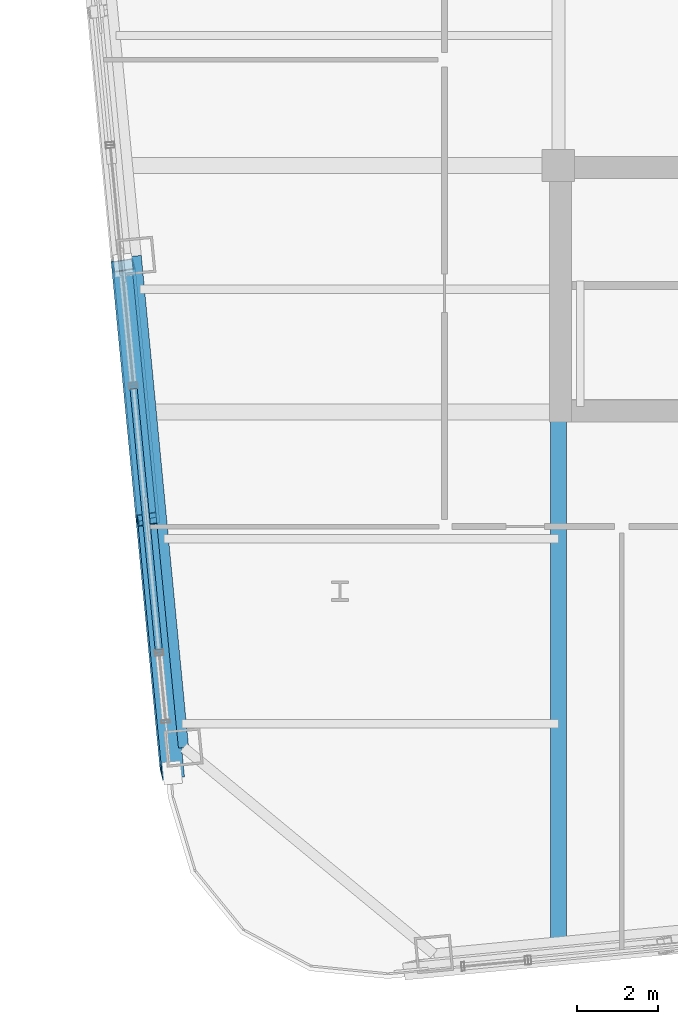
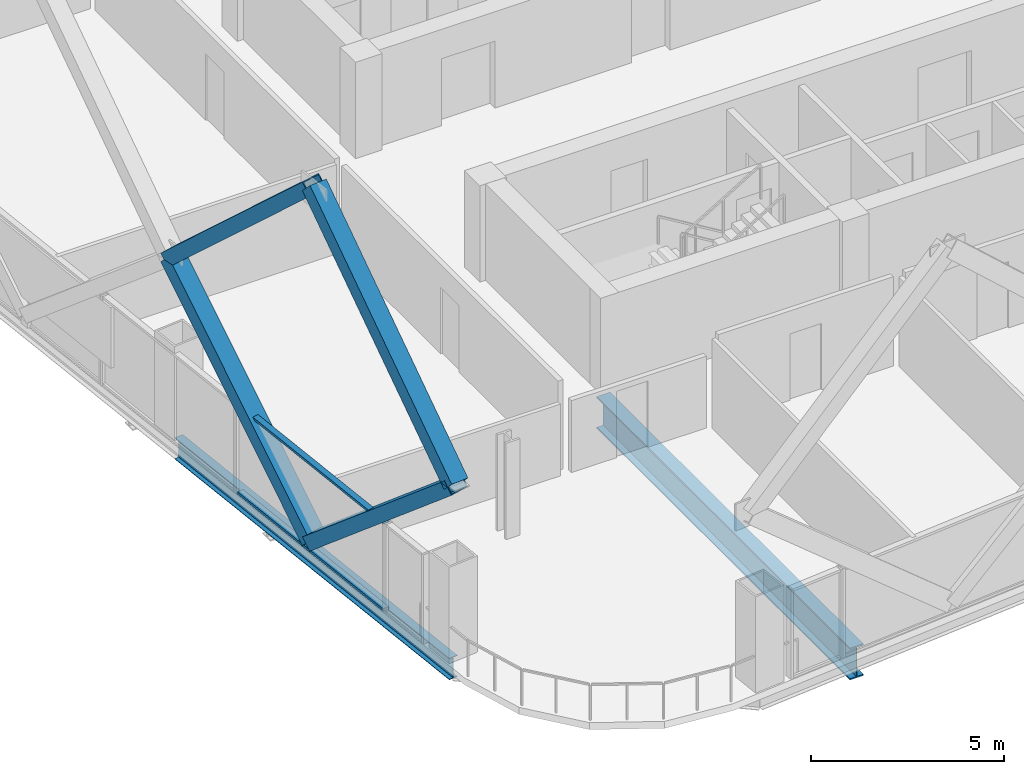
# One storey, part 3 of 32: 6 members, 2 beams, 1 element without a shape of its own.
"""IFC4 building model written with IfcOpenShell, lengths in metres."""

import ifcopenshell
import ifcopenshell.guid

model = None  # the IFC model being written
_history = None  # IfcOwnerHistory: only IFC2X3 demands one
_inside = {}  # id of a spatial element -> (the spatial element, [elements in it])
_under = {}  # id of a project, library or spatial element -> (it, [spatial elements below it])
_declared = {}  # id of a project -> (the project, [libraries it declares])
_typed = {}  # id of a type object -> (the type object, [elements of that type])
_made_of = {}  # id of a material, layer set ... -> (it, [elements and type objects made of it])


def new_model(schema):
    """Start an empty IFC model of exactly this schema.

    Asked for "IFC4X3", IfcOpenShell would pick the latest addendum, in which some entities
    have other attributes; the version numbers below select the first issue.
    IFC2X3 requires an IfcOwnerHistory on every rooted entity: one is made here for all.
    """
    global model, _history
    if schema == "IFC4X3":
        model = ifcopenshell.file(schema_version=(4, 3, 0, 0))
    else:
        model = ifcopenshell.file(schema=schema)
    _inside.clear()
    _under.clear()
    _declared.clear()
    _typed.clear()
    _made_of.clear()
    _history = None
    if model.schema == "IFC2X3":
        org = make("IfcOrganization", Name="unknown")
        user = make(
            "IfcPersonAndOrganization",
            ThePerson=make("IfcPerson", FamilyName="unknown"),
            TheOrganization=org,
        )
        app = make(
            "IfcApplication",
            ApplicationDeveloper=org,
            Version="unknown",
            ApplicationFullName="unknown",
            ApplicationIdentifier="unknown",
        )
        _history = make(
            "IfcOwnerHistory",
            OwningUser=user,
            OwningApplication=app,
            ChangeAction="ADDED",
            CreationDate=0,
        )
    return model


def make(cls, **values):
    """One entity of the class cls with the attributes given. An attribute that is None is left unset."""
    return model.create_entity(
        cls, **{name: value for name, value in values.items() if value is not None}
    )


def rooted(cls, **values):
    """An entity with a GlobalId (a new one), such as an element, a storey or a relation."""
    return make(cls, GlobalId=ifcopenshell.guid.new(), OwnerHistory=_history, **values)


def si_unit(unit_type, name, prefix=None):
    """IfcSIUnit, for example si_unit("LENGTHUNIT", "METRE", prefix="MILLI")."""
    return make("IfcSIUnit", UnitType=unit_type, Prefix=prefix, Name=name)


def assignment(units):
    """IfcUnitAssignment: the units of a project."""
    return None if units is None else make("IfcUnitAssignment", Units=units)


def point(xyz):
    """IfcCartesianPoint."""
    return None if xyz is None else make("IfcCartesianPoint", Coordinates=xyz)


def direction(xyz):
    """IfcDirection."""
    return None if xyz is None else make("IfcDirection", DirectionRatios=xyz)


def frame(location, z_axis=None, x_axis=None):
    """IfcAxis2Placement3D, a coordinate frame: its origin and axes. An axis left out is left unset."""
    return make(
        "IfcAxis2Placement3D",
        Location=point(location),
        Axis=direction(z_axis),
        RefDirection=direction(x_axis),
    )


def frame_2d(location, x_axis=None):
    """IfcAxis2Placement2D, a coordinate frame in the plane: its origin and x axis."""
    return make(
        "IfcAxis2Placement2D", Location=point(location), RefDirection=direction(x_axis)
    )


def origin():
    """The frame at (0, 0, 0) with its axes left unset."""
    return frame((0.0, 0.0, 0.0))


def origin_2d():
    """The frame at (0, 0) in the plane with its x axis left unset."""
    return frame_2d((0.0, 0.0))


def place(relative_to, where):
    """IfcLocalPlacement: puts the frame where relative to a parent placement (None: the world)."""
    return make(
        "IfcLocalPlacement", PlacementRelTo=relative_to, RelativePlacement=where
    )


def context(
    kind, dimensions, precision=None, world=None, true_north=None, identifier=None
):
    """IfcGeometricRepresentationContext, for example the 3D "Model" context."""
    return make(
        "IfcGeometricRepresentationContext",
        ContextIdentifier=identifier,
        ContextType=kind,
        CoordinateSpaceDimension=dimensions,
        Precision=precision,
        WorldCoordinateSystem=world,
        TrueNorth=true_north,
    )


def subcontext(parent, identifier, kind, view, scale=None):
    """IfcGeometricRepresentationSubContext, for example "Body" below "Model"."""
    return make(
        "IfcGeometricRepresentationSubContext",
        ContextIdentifier=identifier,
        ContextType=kind,
        ParentContext=parent,
        TargetScale=scale,
        TargetView=view,
    )


def project(units=None, contexts=None):
    """IfcProject with its units and contexts."""
    return rooted(
        "IfcProject",
        Name="project",
        RepresentationContexts=contexts,
        UnitsInContext=assignment(units),
    )


def spatial(cls, under=None, at=None, **own):
    """A site, building, storey or space (cls), placed at a placement, below another one or the project."""
    s = rooted(cls, ObjectPlacement=at, **own)
    if under is not None:
        _under.setdefault(under.id(), (under, []))[1].append(s)
    return s


def profile(cls, at=None, kind="AREA", **sizes):
    """A parametric profile (cls). Its sizes go by their IFC names, for example OverallWidth=200.0."""
    return make(cls, ProfileType=kind, Position=at, **sizes)


def hollow_rectangle(**sizes):
    """IfcRectangleHollowProfileDef."""
    return profile("IfcRectangleHollowProfileDef", **sizes)


def i_section(**sizes):
    """IfcIShapeProfileDef."""
    return profile("IfcIShapeProfileDef", **sizes)


def extrude(swept, where, along, depth):
    """IfcExtrudedAreaSolid: the profile swept, set in the frame where, extruded along a direction by depth."""
    return make(
        "IfcExtrudedAreaSolid",
        SweptArea=swept,
        Position=where,
        ExtrudedDirection=direction(along),
        Depth=depth,
    )


def shape(context_of_items, identifier, shape_type, items):
    """IfcShapeRepresentation: the items that make up one representation, for example the "Body"."""
    return make(
        "IfcShapeRepresentation",
        ContextOfItems=context_of_items,
        RepresentationIdentifier=identifier,
        RepresentationType=shape_type,
        Items=items,
    )


def material(Name=None, Category=None):
    """IfcMaterial."""
    return make("IfcMaterial", Name=Name, Category=Category)


def layer(
    of_material, thickness, ventilated=None, Name=None, Category=None, Priority=None
):
    """IfcMaterialLayer: one layer of a wall or slab, of a material (None: an air gap)."""
    return make(
        "IfcMaterialLayer",
        Material=of_material,
        LayerThickness=thickness,
        IsVentilated=ventilated,
        Name=Name,
        Category=Category,
        Priority=Priority,
    )


def layer_set(layers, Name=None):
    """IfcMaterialLayerSet."""
    return make("IfcMaterialLayerSet", MaterialLayers=layers, LayerSetName=Name)


def material_profile(
    of_material, cross_section, Name=None, Category=None, Priority=None
):
    """IfcMaterialProfile: a cross section and its material."""
    return make(
        "IfcMaterialProfile",
        Name=Name,
        Material=of_material,
        Profile=cross_section,
        Priority=Priority,
        Category=Category,
    )


def profile_set(profiles, Name=None, composite=None):
    """IfcMaterialProfileSet."""
    return make(
        "IfcMaterialProfileSet",
        Name=Name,
        MaterialProfiles=profiles,
        CompositeProfile=composite,
    )


def made_of(thing, what):
    """Note that an element or type object is made of a material, layer set ...; save() writes the relation."""
    if what is not None:
        _made_of.setdefault(what.id(), (what, []))[1].append(thing)
    return thing


def type_object(cls, material=None, **own):
    """A type object (cls), such as IfcWallType, which elements share."""
    return made_of(rooted(cls, **own), material)


def element(
    cls,
    number,
    at=None,
    inside=None,
    cuts=None,
    type_object=None,
    material=None,
    context=None,
    identifier="Body",
    shape_type=None,
    held_by="IfcProductDefinitionShape",
    body=None,
    shapes=None,
    **own,
):
    """One element of the class cls, such as IfcWall. Its Tag is "e" and its number.

    at: its placement. inside: the storey or other place that contains it. cuts: it is an
    opening in that element (IfcRelVoidsElement). A single representation is given by context,
    identifier, shape_type and body (its items); several are given by shapes. held_by: the class
    of the entity that holds the representations. save() writes the other relations.
    """
    e = rooted(cls, Tag="e%d" % number, ObjectPlacement=at, **own)
    if body is not None:
        shapes = [shape(context, identifier, shape_type, body)]
    if shapes is not None:
        e.Representation = make(held_by, Representations=shapes)
    if inside is not None:
        _inside.setdefault(inside.id(), (inside, []))[1].append(e)
    if cuts is not None:
        rooted(
            "IfcRelVoidsElement", RelatingBuildingElement=cuts, RelatedOpeningElement=e
        )
    if type_object is not None:
        _typed.setdefault(type_object.id(), (type_object, []))[1].append(e)
    return made_of(e, material)


def aggregate(whole, parts):
    """IfcRelAggregates: a whole, such as a stair, and the parts it consists of."""
    return rooted("IfcRelAggregates", RelatingObject=whole, RelatedObjects=parts)


def save(model, path):
    """Write the relations noted so far, then the file.

    IfcRelAggregates (storeys below a building ...), IfcRelContainedInSpatialStructure (elements
    in a storey), IfcRelDefinesByType, IfcRelAssociatesMaterial and IfcRelDeclares: one each for
    every whole, place, type object, material and project.
    """
    for whole, parts in _under.values():
        aggregate(whole, parts)
    for where, things in _inside.values():
        rooted(
            "IfcRelContainedInSpatialStructure",
            RelatedElements=things,
            RelatingStructure=where,
        )
    for kind, things in _typed.values():
        rooted("IfcRelDefinesByType", RelatedObjects=things, RelatingType=kind)
    for what, things in _made_of.values():
        rooted("IfcRelAssociatesMaterial", RelatedObjects=things, RelatingMaterial=what)
    for by, libraries in _declared.values():
        rooted("IfcRelDeclares", RelatingContext=by, RelatedDefinitions=libraries)
    model.write(path)


model = new_model("IFC4")

# Units and contexts
model_context = context("Model", 3, precision=1e-05, world=origin(), true_north=direction((0.0, 1.0)))
body_context = subcontext(model_context, "Body", "Model", "MODEL_VIEW")
ifc_project = project(units=[si_unit("LENGTHUNIT", "METRE"), si_unit("AREAUNIT", "SQUARE_METRE"), si_unit("VOLUMEUNIT", "CUBIC_METRE"), si_unit("PLANEANGLEUNIT", "RADIAN"), si_unit("MASSUNIT", "GRAM", prefix="KILO")], contexts=[model_context])

# Site, building, storey
site_placement = place(None, origin())
site = spatial("IfcSite", under=ifc_project, at=site_placement, CompositionType="ELEMENT")
building_placement = place(site_placement, origin())
building = spatial("IfcBuilding", under=site, at=building_placement, Name="Qhalaya Broadcast Tower", CompositionType="ELEMENT")
storey_placement = place(building_placement, frame((0.0, 0.0, 81.64990234375)))
storey = spatial("IfcBuildingStorey", under=building, at=storey_placement, Name="L23", CompositionType="ELEMENT", Elevation=81.64990234375)

# Members
ifc_material_1 = material(Name="Structural Steel ASTM A572 Grade 50", Category="steel")
ifc_material_profile_1 = material_profile(ifc_material_1, hollow_rectangle(XDim=0.419921875, YDim=0.550048828125, WallThickness=0.028076171875, at=origin_2d()), Name="BOX 420x550x28")
ifc_profile_set_1 = profile_set([ifc_material_profile_1], Name="Structural Steel ASTM A572 Grade 50")
member_type_1 = type_object("IfcMemberType", Name="Exoskeleton Diamond Diagonal Mid-Low EX2", PredefinedType="BRACE", material=ifc_profile_set_1)
for number, where, z_axis, x_axis, name in (
    (1, (-19.573486328125, -11.410888671875, 0.360107421875), (-0.073037413912, 0.758637209183, 0.647406457345), (0.157160868222, -0.632274975342, 0.758636155912), "B2 Exoskeleton Diamond Brace W3-D1"),
    (2, (-19.573486328125, -11.410888671875, 0.360107421875), (0.073066636585, -0.758635580976, 0.647405067864), (-0.157184996454, 0.632267567763, 0.758637330775), "B2 Exoskeleton Diamond Brace W3-D2"),
):
    element("IfcMember", number, at=place(storey_placement, frame(where, z_axis=z_axis, x_axis=x_axis)), inside=storey, type_object=member_type_1, Name=name, PredefinedType="BRACE", context=body_context, shape_type="SweptSolid", body=[
        extrude(hollow_rectangle(XDim=0.419921875, YDim=0.550048828125, WallThickness=0.028076171875, at=origin_2d()), origin(), (0.0, 0.0, 1.0), 8.309814453125),
    ])
for number, where, z_axis, x_axis, name in (
    (3, (-20.180419921875, -5.106689453125, 5.739990234375), (0.070340028415, -0.730619555004, 0.679151931638), (-0.160189075689, 0.663728866417, 0.730618540632), "B2 Exoskeleton Diamond Brace W3-D3"),
    (4, (-18.96630859375, -17.715087890625, 5.739990234375), (-0.070368182799, 0.730618100613, 0.6791505797), (0.160214414414, -0.663721379818, 0.730619785789), "B2 Exoskeleton Diamond Brace W3-D4"),
):
    element("IfcMember", number, at=place(storey_placement, frame(where, z_axis=z_axis, x_axis=x_axis)), inside=storey, type_object=member_type_1, Name=name, PredefinedType="BRACE", context=body_context, shape_type="SweptSolid", body=[
        extrude(hollow_rectangle(XDim=0.419921875, YDim=0.550048828125, WallThickness=0.028076171875, at=origin_2d()), origin(), (0.0, 0.0, 1.0), 8.628662109375),
    ])

# Beams
ifc_material_2 = material(Name="Structural Steel ASTM A992 Grade 50", Category="steel")
ifc_material_profile_2 = material_profile(ifc_material_2, i_section(OverallWidth=0.40087890625, OverallDepth=1.010986328125, WebThickness=0.023681640625, FlangeThickness=0.0419921875, at=origin_2d()), Name="W40X297")
ifc_profile_set_2 = profile_set([ifc_material_profile_2], Name="Structural Steel ASTM A992 Grade 50")
beam_type_1 = type_object("IfcBeamType", Name="Lower Block Primary Girder PG2", PredefinedType="USERDEFINED", material=ifc_profile_set_2)
beam_1_placement = place(storey_placement, frame((-9.375, -21.89501953125, -0.725341796875), z_axis=(0.0, 1.0, 0.0), x_axis=(-1.0, 0.0, 0.0)))
element("IfcBeam", 5, at=beam_1_placement, inside=storey, type_object=beam_type_1, Name="L23 PG2 L23-PGXS1-1", ObjectType="GIRDER", PredefinedType="USERDEFINED", context=body_context, shape_type="SweptSolid", body=[
    extrude(i_section(OverallWidth=0.40087890625, OverallDepth=1.010986328125, WebThickness=0.023681640625, FlangeThickness=0.0419921875, at=origin_2d()), origin(), (0.0, 0.0, 1.0), 13.14501953125),
])
ifc_material_profile_3 = material_profile(ifc_material_2, i_section(OverallWidth=0.25390625, OverallDepth=0.68310546875, WebThickness=0.012451171875, FlangeThickness=0.01904296875, at=origin_2d()), Name="W27X94")
ifc_profile_set_3 = profile_set([ifc_material_profile_3], Name="Structural Steel ASTM A992 Grade 50")
beam_type_2 = type_object("IfcBeamType", Name="Perimeter Ring Spandrel Beam SP1", PredefinedType="SPANDREL", material=ifc_profile_set_3)
beam_2_placement = place(storey_placement, frame((-19.861083984375, -4.875, -0.5615234375), z_axis=(0.095831866369, -0.995397535354, 0.0), x_axis=(0.995397535354, 0.095831866369, 0.0)))
element("IfcBeam", 6, at=beam_2_placement, inside=storey, type_object=beam_type_2, Name="L23 SP1 L23-SPR-15", PredefinedType="SPANDREL", context=body_context, shape_type="SweptSolid", body=[
    extrude(i_section(OverallWidth=0.25390625, OverallDepth=0.68310546875, WebThickness=0.012451171875, FlangeThickness=0.01904296875, at=origin_2d()), origin(), (0.0, 0.0, 1.0), 12.2666015625),
])

# Curtain wall, members
ifc_material_3 = material(Name="Fired Architectural Terracotta", Category="masonry")
ifc_layer = layer(ifc_material_3, 0.219970703125, Name="Fired Architectural Terracotta")
ifc_layer_set = layer_set([ifc_layer], Name="Fired Architectural Terracotta")
curtain_wall_type = type_object("IfcCurtainWallType", Name="Block-Cap Unitised Terracotta Spandrel Wall CW-07", PredefinedType="NOTDEFINED", material=ifc_layer_set)
curtain_wall_placement = place(storey_placement, origin())
curtain_wall = element("IfcCurtainWall", 7, at=curtain_wall_placement, inside=storey, type_object=curtain_wall_type, Name="L23 Unitised Curtain Wall L23-CW-W6", PredefinedType="NOTDEFINED")
ifc_material_4 = material(Name="Anodised Aluminium 6063-T6", Category="aluminium")
ifc_material_profile_4 = material_profile(ifc_material_4, hollow_rectangle(XDim=0.074951171875, YDim=0.179931640625, WallThickness=0.00390625, at=origin_2d()), Name="ALU-TRN 75x180x4")
ifc_profile_set_4 = profile_set([ifc_material_profile_4], Name="Anodised Aluminium 6063-T6")
member_type_2 = type_object("IfcMemberType", Name="Unitised Curtain-Wall Transom T01", PredefinedType="USERDEFINED", material=ifc_profile_set_4)
member_1_placement = place(storey_placement, frame((-19.92529296875, -8.1728515625, 0.03759765625), z_axis=(0.095847398754, -0.995396039852, 0.0), x_axis=(0.0, 0.0, 1.0)))
member_1 = element("IfcMember", 8, at=member_1_placement, type_object=member_type_2, Name="CW-07 transom 1.1", ObjectType="TRANSOM", PredefinedType="USERDEFINED", context=body_context, shape_type="SweptSolid", body=[
    extrude(hollow_rectangle(XDim=0.074951171875, YDim=0.179931640625, WallThickness=0.00390625, at=origin_2d()), origin(), (0.0, 0.0, 1.0), 6.51318359375),
])
member_2_placement = place(storey_placement, frame((-19.92529296875, -8.1728515625, 2.79248046875), z_axis=(0.095847398754, -0.995396039852, 0.0), x_axis=(0.0, 0.0, 1.0)))
member_2 = element("IfcMember", 9, at=member_2_placement, type_object=member_type_2, Name="CW-07 transom 1.2", ObjectType="TRANSOM", PredefinedType="USERDEFINED", context=body_context, shape_type="SweptSolid", body=[
    extrude(hollow_rectangle(XDim=0.074951171875, YDim=0.179931640625, WallThickness=0.00390625, at=origin_2d()), origin(), (0.0, 0.0, 1.0), 6.51318359375),
])
aggregate(curtain_wall, [member_1, member_2])

save(model, "model.ifc")
